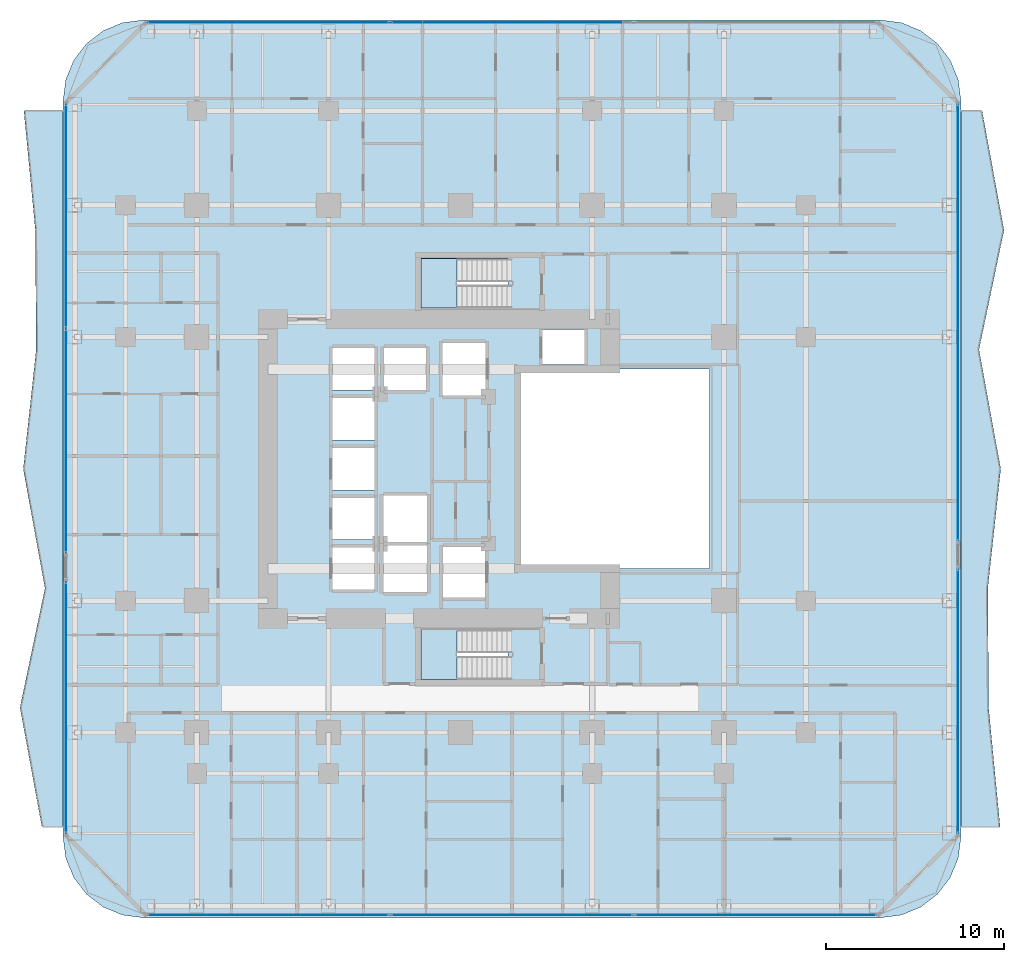
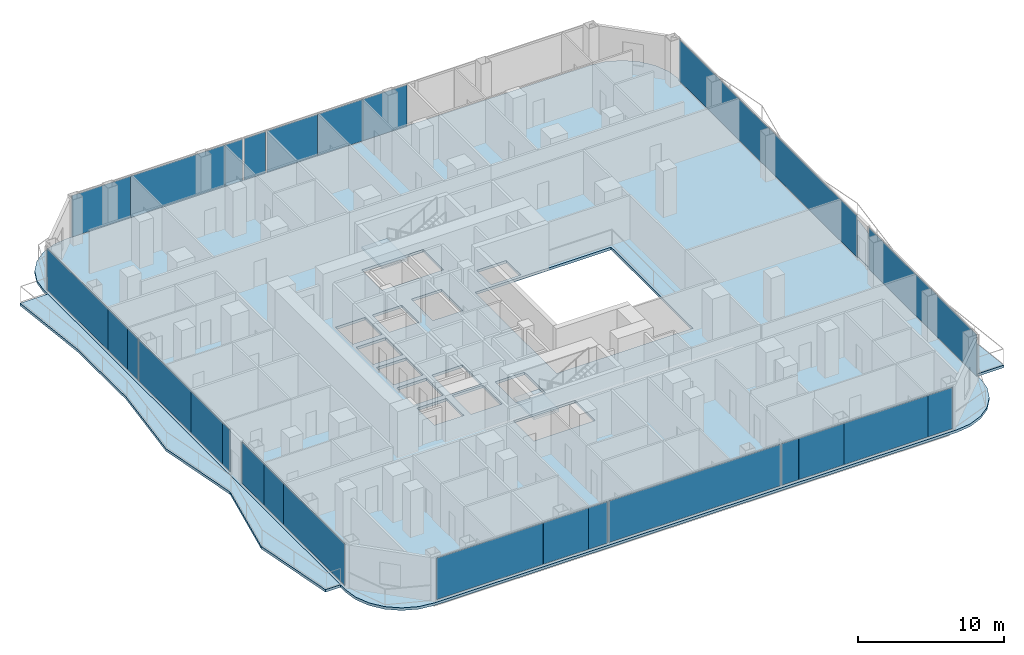
# One storey, part 18 of 28: 26 plates, 5 slabs, 8 elements without a shape of their own.
"""IFC4 building model written with IfcOpenShell, lengths in metres."""

from ifc_helpers import new_model, si_unit, direction, frame, origin, origin_2d, place, context, subcontext, project, spatial, polyline, rectangle, outline, extrude, material, layer, layer_set, type_object, element, aggregate, save


model = new_model("IFC4")

# Units and contexts
model_context = context("Model", 3, precision=1e-05, world=origin(), true_north=direction((0.0, 1.0)))
body_context = subcontext(model_context, "Body", "Model", "MODEL_VIEW")
ifc_project = project(units=[si_unit("LENGTHUNIT", "METRE"), si_unit("AREAUNIT", "SQUARE_METRE"), si_unit("VOLUMEUNIT", "CUBIC_METRE"), si_unit("PLANEANGLEUNIT", "RADIAN"), si_unit("MASSUNIT", "GRAM", prefix="KILO")], contexts=[model_context])

# Site, building, storey
site_placement = place(None, origin())
site = spatial("IfcSite", under=ifc_project, at=site_placement, CompositionType="ELEMENT")
building_placement = place(site_placement, origin())
building = spatial("IfcBuilding", under=site, at=building_placement, Name="Khorvyn Point Tower", CompositionType="ELEMENT")
storey_placement = place(building_placement, frame((0.0, 0.0, 34.5)))
storey = spatial("IfcBuildingStorey", under=building, at=storey_placement, Name="L09", CompositionType="ELEMENT", Elevation=34.5)

# Slabs
ifc_material_1 = material(Name="Concrete C35/45", Category="concrete")
ifc_layer_1 = layer(ifc_material_1, 0.219970703125)
ifc_layer_set_1 = layer_set([ifc_layer_1], Name="Concrete C35/45 Structural Floor Slab 220")
slab_type_1 = type_object("IfcSlabType", Name="Concrete C35/45 Structural Floor Slab 220", PredefinedType="FLOOR", material=ifc_layer_set_1)
slab_1_placement = place(storey_placement, frame((0.0, 0.0, -0.219970703125)))
element("IfcSlab", 1, at=slab_1_placement, inside=storey, type_object=slab_type_1, Name="L09 Main Structural Floor Slab", PredefinedType="FLOOR", context=body_context, shape_type="SweptSolid", body=[
    extrude(outline(polyline([(-17.800048828125, -25.199951171875), (-18.964599609375, -25.046630859375), (-20.050048828125, -24.59716796875), (-20.98193359375, -23.882080078125), (-21.697021484375, -22.949951171875), (-22.146728515625, -21.86474609375), (-22.300048828125, -20.699951171875), (-22.300048828125, 20.699951171875), (-22.146728515625, 21.86474609375), (-21.697021484375, 22.949951171875), (-20.98193359375, 23.882080078125), (-20.050048828125, 24.59716796875), (-18.964599609375, 25.046630859375), (-17.800048828125, 25.199951171875), (23.60009765625, 25.199951171875), (24.7646484375, 25.046630859375), (25.85009765625, 24.59716796875), (26.781982421875, 23.882080078125), (27.4970703125, 22.949951171875), (27.94677734375, 21.86474609375), (28.10009765625, 20.699951171875), (28.10009765625, -20.699951171875), (27.94677734375, -21.86474609375), (27.4970703125, -22.949951171875), (26.781982421875, -23.882080078125), (25.85009765625, -24.59716796875), (24.7646484375, -25.046630859375), (23.60009765625, -25.199951171875), (-17.800048828125, -25.199951171875)]), holes=[polyline([(-4.824951171875, -6.77490234375), (-4.824951171875, -4.425048828125), (-7.175048828125, -4.425048828125), (-7.175048828125, -6.77490234375), (-4.824951171875, -6.77490234375)]), polyline([(-4.324951171875, -6.89990234375), (-1.875, -6.89990234375), (-1.875, -4.300048828125), (-4.324951171875, -4.300048828125), (-4.324951171875, -6.89990234375)]), polyline([(-7.175048828125, -3.97509765625), (-4.824951171875, -3.97509765625), (-4.824951171875, -1.625), (-7.175048828125, -1.625), (-7.175048828125, -3.97509765625)]), polyline([(-7.175048828125, -1.175048828125), (-4.824951171875, -1.175048828125), (-4.824951171875, 1.175048828125), (-7.175048828125, 1.175048828125), (-7.175048828125, -1.175048828125)]), polyline([(-7.175048828125, 1.625), (-4.824951171875, 1.625), (-4.824951171875, 3.97509765625), (-7.175048828125, 3.97509765625), (-7.175048828125, 1.625)]), polyline([(-7.175048828125, 4.425048828125), (-4.824951171875, 4.425048828125), (-4.824951171875, 6.77490234375), (-7.175048828125, 6.77490234375), (-7.175048828125, 4.425048828125)]), polyline([(-4.27490234375, 4.425048828125), (-1.925048828125, 4.425048828125), (-1.925048828125, 6.77490234375), (-4.27490234375, 6.77490234375), (-4.27490234375, 4.425048828125)]), polyline([(2.679931640625, -11.820068359375), (2.679931640625, -9.02001953125), (-2.199951171875, -9.02001953125), (-2.199951171875, -11.820068359375), (2.679931640625, -11.820068359375)]), polyline([(-0.97509765625, -7.22509765625), (1.375, -7.22509765625), (1.375, -4.375), (-0.97509765625, -4.375), (-0.97509765625, -7.22509765625)]), polyline([(-4.324951171875, -4.10009765625), (-1.875, -4.10009765625), (-1.875, -1.5), (-4.324951171875, -1.5), (-4.324951171875, -4.10009765625)]), polyline([(3.199951171875, -5.60009765625), (14.0, -5.60009765625), (14.0, 5.60009765625), (3.199951171875, 5.60009765625), (3.199951171875, -5.60009765625)]), polyline([(-1.0, 4.125), (1.39990234375, 4.125), (1.39990234375, 7.074951171875), (-1.0, 7.074951171875), (-1.0, 4.125)]), polyline([(4.625, 5.85009765625), (6.97509765625, 5.85009765625), (6.97509765625, 7.830078125), (4.625, 7.830078125), (4.625, 5.85009765625)]), polyline([(-2.199951171875, 9.02001953125), (2.679931640625, 9.02001953125), (2.679931640625, 11.820068359375), (-2.199951171875, 11.820068359375), (-2.199951171875, 9.02001953125)])]), origin(), (0.0, 0.0, 1.0), 0.219970703125),
])
ifc_material_2 = material(Name="Concrete C40/50", Category="concrete")
ifc_layer_2 = layer(ifc_material_2, 0.2099609375)
ifc_layer_set_2 = layer_set([ifc_layer_2], Name="Concrete C40/50 Rippling Balcony Slab 210")
slab_type_2 = type_object("IfcSlabType", Name="Concrete C40/50 Rippling Balcony Slab 210", PredefinedType="USERDEFINED", material=ifc_layer_set_2)
slab_2_placement = place(storey_placement, frame((0.0, 0.0, -0.2099609375)))
element("IfcSlab", 2, at=slab_2_placement, inside=storey, type_object=slab_type_2, Name="L09 East Sinusoidal Rippling Balcony", ObjectType="BALCONY", PredefinedType="USERDEFINED", context=body_context, shape_type="SweptSolid", body=[
    extrude(outline(polyline([(28.10009765625, -20.10009765625), (30.302490234375, -20.10009765625), (29.657470703125, -13.39990234375), (29.611572265625, -6.699951171875), (30.3369140625, 0.0), (29.1171875, 6.699951171875), (30.520263671875, 13.39990234375), (29.29150390625, 20.10009765625), (28.10009765625, 20.10009765625), (28.10009765625, -20.10009765625)])), origin(), (0.0, 0.0, 1.0), 0.2099609375),
])
slab_3_placement = place(storey_placement, frame((0.0, 0.0, -0.2099609375)))
element("IfcSlab", 3, at=slab_3_placement, inside=storey, type_object=slab_type_2, Name="L09 West Sinusoidal Rippling Balcony", ObjectType="BALCONY", PredefinedType="USERDEFINED", context=body_context, shape_type="SweptSolid", body=[
    extrude(outline(polyline([(-22.300048828125, 20.10009765625), (-24.502685546875, 20.10009765625), (-23.857421875, 13.39990234375), (-23.8115234375, 6.699951171875), (-24.536865234375, 0.0), (-23.317138671875, -6.699951171875), (-24.72021484375, -13.39990234375), (-23.49169921875, -20.10009765625), (-22.300048828125, -20.10009765625), (-22.300048828125, 20.10009765625)])), origin(), (0.0, 0.0, 1.0), 0.2099609375),
])

# Stair, slab
stair_type = type_object("IfcStairType", Name="Tower Concrete C40/50 Dogleg Exit Stair", PredefinedType="HALF_TURN_STAIR", material=ifc_material_2)
stair_1_placement = place(storey_placement, origin())
stair_1 = element("IfcStair", 4, at=stair_1_placement, inside=storey, type_object=stair_type, Name="L09 Tower Smokeproof Exit Stair South", PredefinedType="HALF_TURN_STAIR")
ifc_layer_3 = layer(ifc_material_2, 0.199951171875)
ifc_layer_set_3 = layer_set([ifc_layer_3], Name="Concrete C40/50 Stair Landing Slab 200")
slab_type_3 = type_object("IfcSlabType", Name="Concrete C40/50 Stair Landing Slab 200", PredefinedType="LANDING", material=ifc_layer_set_3)
slab_4_placement = place(storey_placement, frame((0.0, 0.0, 1.75)))
slab_4 = element("IfcSlab", 5, at=slab_4_placement, type_object=slab_type_3, Name="ST-01 landing 1", PredefinedType="LANDING", context=body_context, shape_type="SweptSolid", body=[
    extrude(outline(polyline([(-0.179931640625, -9.02001953125), (-2.199951171875, -9.02001953125), (-2.199951171875, -11.820068359375), (-0.179931640625, -11.820068359375), (-0.179931640625, -9.02001953125)])), origin(), (0.0, 0.0, 1.0), 0.199951171875),
])
aggregate(stair_1, [slab_4])

stair_2_placement = place(storey_placement, origin())
stair_2 = element("IfcStair", 6, at=stair_2_placement, inside=storey, type_object=stair_type, Name="L09 Tower Smokeproof Exit Stair North", PredefinedType="HALF_TURN_STAIR")
slab_5_placement = place(storey_placement, frame((0.0, 0.0, 1.75)))
slab_5 = element("IfcSlab", 7, at=slab_5_placement, type_object=slab_type_3, Name="ST-02 landing 1", PredefinedType="LANDING", context=body_context, shape_type="SweptSolid", body=[
    extrude(outline(polyline([(-0.179931640625, 11.820068359375), (-2.199951171875, 11.820068359375), (-2.199951171875, 9.02001953125), (-0.179931640625, 9.02001953125), (-0.179931640625, 11.820068359375)])), origin(), (0.0, 0.0, 1.0), 0.199951171875),
])
aggregate(stair_2, [slab_5])

# Curtain wall, plates
ifc_material_3 = material(Name="Anodised aluminium 6063-T6 and laminated Low-E glass", Category="aluminium")
ifc_layer_4 = layer(ifc_material_3, 0.18994140625)
ifc_layer_set_4 = layer_set([ifc_layer_4], Name="Stick-Built Finned Residential Curtain Wall CW-SYS-02")
curtain_wall_type = type_object("IfcCurtainWallType", Name="Stick-Built Finned Residential Curtain Wall CW-SYS-02", PredefinedType="NOTDEFINED", material=ifc_layer_set_4)
curtain_wall_1_placement = place(storey_placement, origin())
curtain_wall_1 = element("IfcCurtainWall", 8, at=curtain_wall_1_placement, inside=storey, type_object=curtain_wall_type, Name="Curtain Wall", PredefinedType="NOTDEFINED")
ifc_material_4 = material(Name="Laminated Low-E insulated glass", Category="glass")
ifc_layer_5 = layer(ifc_material_4, 0.028076171875)
ifc_layer_set_5 = layer_set([ifc_layer_5], Name="Tempered Low-E Vision Glazing Panel CW-GL28")
plate_type = type_object("IfcPlateType", Name="Tempered Low-E Vision Glazing Panel CW-GL28", PredefinedType="CURTAIN_PANEL", material=ifc_layer_set_5)
plate_1_placement = place(storey_placement, frame((10.48095703125, -25.050048828125, 0.10009765625), z_axis=(0.0, 0.0, 1.0), x_axis=(-1.0, 0.0, 0.0)))
plate_1 = element("IfcPlate", 9, at=plate_1_placement, type_object=plate_type, Name="Panel", PredefinedType="CURTAIN_PANEL", context=body_context, shape_type="SweptSolid", body=[
    extrude(rectangle(XDim=1.35400390625, YDim=0.028076171875, at=origin_2d()), origin(), (0.0, 0.0, 1.0), 3.47998046875),
])
plate_2_placement = place(storey_placement, frame((12.9619140625, -25.050048828125, 0.10009765625), z_axis=(0.0, 0.0, 1.0), x_axis=(-1.0, 0.0, 0.0)))
plate_2 = element("IfcPlate", 10, at=plate_2_placement, type_object=plate_type, Name="Panel", PredefinedType="CURTAIN_PANEL", context=body_context, shape_type="SweptSolid", body=[
    extrude(rectangle(XDim=3.592041015625, YDim=0.028076171875, at=origin_2d()), origin(), (0.0, 0.0, 1.0), 3.47998046875),
])
plate_3_placement = place(storey_placement, frame((18.08837890625, -25.050048828125, 0.10009765625), z_axis=(0.0, 0.0, 1.0), x_axis=(-1.0, 0.0, 0.0)))
plate_3 = element("IfcPlate", 11, at=plate_3_placement, type_object=plate_type, Name="Panel", PredefinedType="CURTAIN_PANEL", context=body_context, shape_type="SweptSolid", body=[
    extrude(rectangle(XDim=6.64501953125, YDim=0.028076171875, at=origin_2d()), origin(), (0.0, 0.0, 1.0), 3.47998046875),
])
plate_4_placement = place(storey_placement, frame((22.382568359375, -25.050048828125, 0.10009765625), z_axis=(0.0, 0.0, 1.0), x_axis=(-1.0, 0.0, 0.0)))
plate_4 = element("IfcPlate", 12, at=plate_4_placement, type_object=plate_type, Name="Panel", PredefinedType="CURTAIN_PANEL", context=body_context, shape_type="SweptSolid", body=[
    extrude(rectangle(XDim=1.927001953125, YDim=0.028076171875, at=origin_2d()), origin(), (0.0, 0.0, 1.0), 3.47998046875),
])
plate_5_placement = place(storey_placement, frame((2.89990234375, -25.050048828125, 0.10009765625), z_axis=(0.0, 0.0, 1.0), x_axis=(-1.0, 0.0, 0.0)))
plate_5 = element("IfcPlate", 13, at=plate_5_placement, type_object=plate_type, Name="Panel", PredefinedType="CURTAIN_PANEL", context=body_context, shape_type="SweptSolid", body=[
    extrude(rectangle(XDim=13.60009765625, YDim=0.028076171875, at=origin_2d()), origin(), (0.0, 0.0, 1.0), 3.47998046875),
])
plate_6_placement = place(storey_placement, frame((-13.320556640625, -25.050048828125, 0.10009765625), z_axis=(0.0, 0.0, 1.0), x_axis=(-1.0, 0.0, 0.0)))
plate_6 = element("IfcPlate", 14, at=plate_6_placement, type_object=plate_type, Name="Panel", PredefinedType="CURTAIN_PANEL", context=body_context, shape_type="SweptSolid", body=[
    extrude(rectangle(XDim=8.450927734375, YDim=0.028076171875, at=origin_2d()), origin(), (0.0, 0.0, 1.0), 3.47998046875),
])
plate_7_placement = place(storey_placement, frame((-7.29248046875, -25.050048828125, 0.10009765625), z_axis=(0.0, 0.0, 1.0), x_axis=(-1.0, 0.0, 0.0)))
plate_7 = element("IfcPlate", 15, at=plate_7_placement, type_object=plate_type, Name="Panel", PredefinedType="CURTAIN_PANEL", context=body_context, shape_type="SweptSolid", body=[
    extrude(rectangle(XDim=3.589111328125, YDim=0.028076171875, at=origin_2d()), origin(), (0.0, 0.0, 1.0), 3.47998046875),
])
plate_8_placement = place(storey_placement, frame((-4.7470703125, -25.050048828125, 0.10009765625), z_axis=(0.0, 0.0, 1.0), x_axis=(-1.0, 0.0, 0.0)))
plate_8 = element("IfcPlate", 16, at=plate_8_placement, type_object=plate_type, Name="Panel", PredefinedType="CURTAIN_PANEL", context=body_context, shape_type="SweptSolid", body=[
    extrude(rectangle(XDim=1.486083984375, YDim=0.028076171875, at=origin_2d()), origin(), (0.0, 0.0, 1.0), 3.47998046875),
])
aggregate(curtain_wall_1, [plate_1, plate_2, plate_3, plate_4, plate_5, plate_6, plate_7, plate_8])

curtain_wall_2_placement = place(storey_placement, origin())
curtain_wall_2 = element("IfcCurtainWall", 17, at=curtain_wall_2_placement, inside=storey, type_object=curtain_wall_type, Name="Curtain Wall", PredefinedType="NOTDEFINED")
plate_9_placement = place(storey_placement, frame((-15.214111328125, 25.050048828125, 0.10009765625), z_axis=(0.0, 0.0, 1.0), x_axis=(1.0, 0.0, 0.0)))
plate_9 = element("IfcPlate", 18, at=plate_9_placement, type_object=plate_type, Name="Panel", PredefinedType="CURTAIN_PANEL", context=body_context, shape_type="SweptSolid", body=[
    extrude(rectangle(XDim=4.6640625, YDim=0.028076171875, at=origin_2d()), origin(), (0.0, 0.0, 1.0), 3.47998046875),
])
plate_10_placement = place(storey_placement, frame((-9.134033203125, 25.050048828125, 0.10009765625), z_axis=(0.0, 0.0, 1.0), x_axis=(1.0, 0.0, 0.0)))
plate_10 = element("IfcPlate", 19, at=plate_10_placement, type_object=plate_type, Name="Panel", PredefinedType="CURTAIN_PANEL", context=body_context, shape_type="SweptSolid", body=[
    extrude(rectangle(XDim=7.47998046875, YDim=0.028076171875, at=origin_2d()), origin(), (0.0, 0.0, 1.0), 3.47998046875),
])
plate_11_placement = place(storey_placement, frame((-4.695068359375, 25.050048828125, 0.10009765625), z_axis=(0.0, 0.0, 1.0), x_axis=(1.0, 0.0, 0.0)))
plate_11 = element("IfcPlate", 20, at=plate_11_placement, type_object=plate_type, Name="Panel", PredefinedType="CURTAIN_PANEL", context=body_context, shape_type="SweptSolid", body=[
    extrude(rectangle(XDim=1.382080078125, YDim=0.028076171875, at=origin_2d()), origin(), (0.0, 0.0, 1.0), 3.47998046875),
])
plate_12_placement = place(storey_placement, frame((-3.04052734375, 25.050048828125, 0.10009765625), z_axis=(0.0, 0.0, 1.0), x_axis=(1.0, 0.0, 0.0)))
plate_12 = element("IfcPlate", 21, at=plate_12_placement, type_object=plate_type, Name="Panel", PredefinedType="CURTAIN_PANEL", context=body_context, shape_type="SweptSolid", body=[
    extrude(rectangle(XDim=1.7109375, YDim=0.028076171875, at=origin_2d()), origin(), (0.0, 0.0, 1.0), 3.47998046875),
])
plate_13_placement = place(storey_placement, frame((-0.071044921875, 25.050048828125, 0.10009765625), z_axis=(0.0, 0.0, 1.0), x_axis=(1.0, 0.0, 0.0)))
plate_13 = element("IfcPlate", 22, at=plate_13_placement, type_object=plate_type, Name="Panel", PredefinedType="CURTAIN_PANEL", context=body_context, shape_type="SweptSolid", body=[
    extrude(rectangle(XDim=3.971923828125, YDim=0.028076171875, at=origin_2d()), origin(), (0.0, 0.0, 1.0), 3.47998046875),
])
plate_14_placement = place(storey_placement, frame((3.722412109375, 25.050048828125, 0.10009765625), z_axis=(0.0, 0.0, 1.0), x_axis=(1.0, 0.0, 0.0)))
plate_14 = element("IfcPlate", 23, at=plate_14_placement, type_object=plate_type, Name="Panel", PredefinedType="CURTAIN_PANEL", context=body_context, shape_type="SweptSolid", body=[
    extrude(rectangle(XDim=3.59912109375, YDim=0.028076171875, at=origin_2d()), origin(), (0.0, 0.0, 1.0), 3.47998046875),
])
plate_15_placement = place(storey_placement, frame((7.285400390625, 25.050048828125, 0.10009765625), z_axis=(0.0, 0.0, 1.0), x_axis=(1.0, 0.0, 0.0)))
plate_15 = element("IfcPlate", 24, at=plate_15_placement, type_object=plate_type, Name="Panel", PredefinedType="CURTAIN_PANEL", context=body_context, shape_type="SweptSolid", body=[
    extrude(rectangle(XDim=3.510986328125, YDim=0.028076171875, at=origin_2d()), origin(), (0.0, 0.0, 1.0), 3.47998046875),
])
aggregate(curtain_wall_2, [plate_9, plate_10, plate_11, plate_12, plate_13, plate_14, plate_15])

curtain_wall_3_placement = place(storey_placement, origin())
curtain_wall_3 = element("IfcCurtainWall", 25, at=curtain_wall_3_placement, inside=storey, type_object=curtain_wall_type, Name="Curtain Wall", PredefinedType="NOTDEFINED")
plate_16_placement = place(storey_placement, frame((-22.14990234375, -16.2548828125, 0.10009765625), z_axis=(0.0, 0.0, 1.0), x_axis=(0.0, 1.0, 0.0)))
plate_16 = element("IfcPlate", 26, at=plate_16_placement, type_object=plate_type, Name="Panel", PredefinedType="CURTAIN_PANEL", context=body_context, shape_type="SweptSolid", body=[
    extrude(rectangle(XDim=8.382080078125, YDim=0.028076171875, at=origin_2d()), origin(), (0.0, 0.0, 1.0), 3.47998046875),
])
plate_17_placement = place(storey_placement, frame((-22.14990234375, -10.719970703125, 0.10009765625), z_axis=(0.0, 0.0, 1.0), x_axis=(0.0, 1.0, 0.0)))
plate_17 = element("IfcPlate", 27, at=plate_17_placement, type_object=plate_type, Name="Panel", PredefinedType="CURTAIN_PANEL", context=body_context, shape_type="SweptSolid", body=[
    extrude(rectangle(XDim=2.672119140625, YDim=0.028076171875, at=origin_2d()), origin(), (0.0, 0.0, 1.0), 3.47998046875),
])
plate_18_placement = place(storey_placement, frame((-22.14990234375, -7.8720703125, 0.10009765625), z_axis=(0.0, 0.0, 1.0), x_axis=(0.0, 1.0, 0.0)))
plate_18 = element("IfcPlate", 28, at=plate_18_placement, type_object=plate_type, Name="Panel", PredefinedType="CURTAIN_PANEL", context=body_context, shape_type="SweptSolid", body=[
    extrude(rectangle(XDim=3.008056640625, YDim=0.028076171875, at=origin_2d()), origin(), (0.0, 0.0, 1.0), 3.47998046875),
])
aggregate(curtain_wall_3, [plate_16, plate_17, plate_18])

curtain_wall_4_placement = place(storey_placement, origin())
curtain_wall_4 = element("IfcCurtainWall", 29, at=curtain_wall_4_placement, inside=storey, type_object=curtain_wall_type, Name="Curtain Wall", PredefinedType="NOTDEFINED")
plate_19_placement = place(storey_placement, frame((-22.14990234375, -4.181396484375, 0.10009765625), z_axis=(0.0, 0.0, 1.0), x_axis=(0.0, 1.0, 0.0)))
plate_19 = element("IfcPlate", 30, at=plate_19_placement, type_object=plate_type, Name="Panel", PredefinedType="CURTAIN_PANEL", context=body_context, shape_type="SweptSolid", body=[
    extrude(rectangle(XDim=1.076904296875, YDim=0.028076171875, at=origin_2d()), origin(), (0.0, 0.0, 1.0), 3.47998046875),
])
plate_20_placement = place(storey_placement, frame((-22.14990234375, -1.486083984375, 0.10009765625), z_axis=(0.0, 0.0, 1.0), x_axis=(0.0, 1.0, 0.0)))
plate_20 = element("IfcPlate", 31, at=plate_20_placement, type_object=plate_type, Name="Panel", PredefinedType="CURTAIN_PANEL", context=body_context, shape_type="SweptSolid", body=[
    extrude(rectangle(XDim=4.298095703125, YDim=0.028076171875, at=origin_2d()), origin(), (0.0, 0.0, 1.0), 3.47998046875),
])
plate_21_placement = place(storey_placement, frame((-22.14990234375, 4.239990234375, 0.10009765625), z_axis=(0.0, 0.0, 1.0), x_axis=(0.0, 1.0, 0.0)))
plate_21 = element("IfcPlate", 32, at=plate_21_placement, type_object=plate_type, Name="Panel", PredefinedType="CURTAIN_PANEL", context=body_context, shape_type="SweptSolid", body=[
    extrude(rectangle(XDim=7.137939453125, YDim=0.028076171875, at=origin_2d()), origin(), (0.0, 0.0, 1.0), 3.47998046875),
])
plate_22_placement = place(storey_placement, frame((-22.14990234375, 8.646484375, 0.10009765625), z_axis=(0.0, 0.0, 1.0), x_axis=(0.0, 1.0, 0.0)))
plate_22 = element("IfcPlate", 33, at=plate_22_placement, type_object=plate_type, Name="Panel", PredefinedType="CURTAIN_PANEL", context=body_context, shape_type="SweptSolid", body=[
    extrude(rectangle(XDim=1.458984375, YDim=0.028076171875, at=origin_2d()), origin(), (0.0, 0.0, 1.0), 3.47998046875),
])
plate_23_placement = place(storey_placement, frame((-22.14990234375, 10.719970703125, 0.10009765625), z_axis=(0.0, 0.0, 1.0), x_axis=(0.0, 1.0, 0.0)))
plate_23 = element("IfcPlate", 34, at=plate_23_placement, type_object=plate_type, Name="Panel", PredefinedType="CURTAIN_PANEL", context=body_context, shape_type="SweptSolid", body=[
    extrude(rectangle(XDim=2.672119140625, YDim=0.028076171875, at=origin_2d()), origin(), (0.0, 0.0, 1.0), 3.47998046875),
])
plate_24_placement = place(storey_placement, frame((-22.14990234375, 16.2548828125, 0.10009765625), z_axis=(0.0, 0.0, 1.0), x_axis=(0.0, 1.0, 0.0)))
plate_24 = element("IfcPlate", 35, at=plate_24_placement, type_object=plate_type, Name="Panel", PredefinedType="CURTAIN_PANEL", context=body_context, shape_type="SweptSolid", body=[
    extrude(rectangle(XDim=8.382080078125, YDim=0.028076171875, at=origin_2d()), origin(), (0.0, 0.0, 1.0), 3.47998046875),
])
aggregate(curtain_wall_4, [plate_19, plate_20, plate_21, plate_22, plate_23, plate_24])

# Curtain wall, plate
curtain_wall_5_placement = place(storey_placement, origin())
curtain_wall_5 = element("IfcCurtainWall", 36, at=curtain_wall_5_placement, inside=storey, type_object=curtain_wall_type, Name="Curtain Wall", PredefinedType="NOTDEFINED")
plate_25_placement = place(storey_placement, frame((27.949951171875, 8.219970703125, 0.10009765625), z_axis=(0.0, 0.0, 1.0), x_axis=(0.0, -1.0, 0.0)))
plate_25 = element("IfcPlate", 37, at=plate_25_placement, type_object=plate_type, Name="Panel", PredefinedType="CURTAIN_PANEL", context=body_context, shape_type="SweptSolid", body=[
    extrude(rectangle(XDim=24.4599609375, YDim=0.028076171875, at=origin_2d()), origin(), (0.0, 0.0, 1.0), 3.47998046875),
])
aggregate(curtain_wall_5, [plate_25])

curtain_wall_6_placement = place(storey_placement, origin())
curtain_wall_6 = element("IfcCurtainWall", 38, at=curtain_wall_6_placement, inside=storey, type_object=curtain_wall_type, Name="Curtain Wall", PredefinedType="NOTDEFINED")
plate_26_placement = place(storey_placement, frame((27.949951171875, -13.050048828125, 0.10009765625), z_axis=(0.0, 0.0, 1.0), x_axis=(0.0, -1.0, 0.0)))
plate_26 = element("IfcPlate", 39, at=plate_26_placement, type_object=plate_type, Name="Panel", PredefinedType="CURTAIN_PANEL", context=body_context, shape_type="SweptSolid", body=[
    extrude(rectangle(XDim=14.800048828125, YDim=0.028076171875, at=origin_2d()), origin(), (0.0, 0.0, 1.0), 3.47998046875),
])
aggregate(curtain_wall_6, [plate_26])

save(model, "model.ifc")
